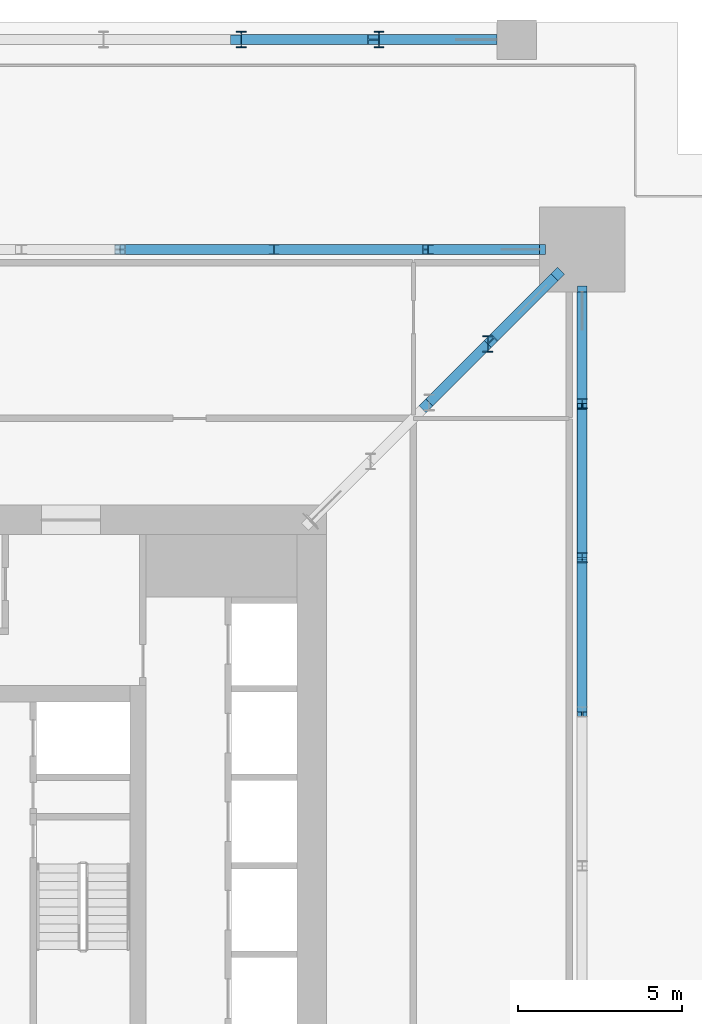
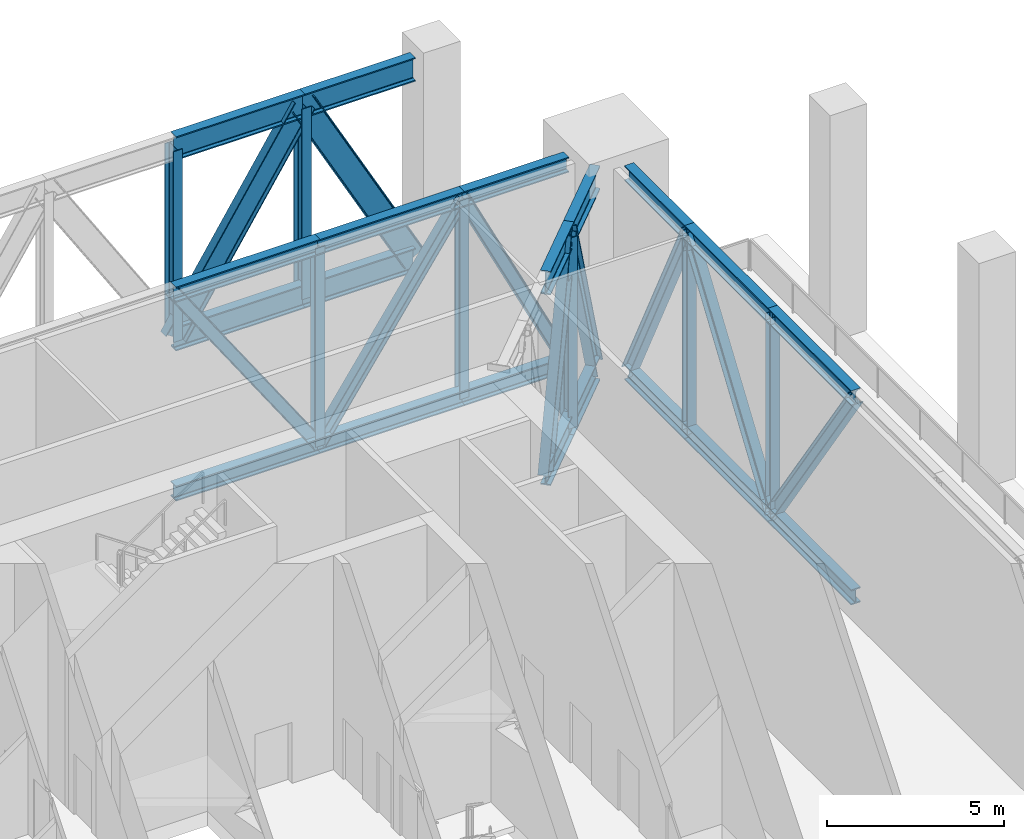
# One storey, part 5 of 17: 37 members.
"""IFC4 building model written with IfcOpenShell, lengths in metres."""

from ifc_helpers import new_model, si_unit, direction, frame, origin, origin_2d, place, context, subcontext, project, spatial, i_section, extrude, material, material_profile, profile_set, type_object, element, save


model = new_model("IFC4")

# Units and contexts
model_context = context("Model", 3, precision=1e-05, world=origin(), true_north=direction((0.0, 1.0)))
body_context = subcontext(model_context, "Body", "Model", "MODEL_VIEW")
ifc_project = project(units=[si_unit("LENGTHUNIT", "METRE"), si_unit("AREAUNIT", "SQUARE_METRE"), si_unit("VOLUMEUNIT", "CUBIC_METRE"), si_unit("PLANEANGLEUNIT", "RADIAN"), si_unit("MASSUNIT", "GRAM", prefix="KILO")], contexts=[model_context])

# Site, building, storey
site_placement = place(None, origin())
site = spatial("IfcSite", under=ifc_project, at=site_placement, CompositionType="ELEMENT")
building_placement = place(site_placement, origin())
building = spatial("IfcBuilding", under=site, at=building_placement, Name="Khepri Terraces", CompositionType="ELEMENT")
storey_placement = place(building_placement, frame((0.0, 0.0, 180.60009765625)))
storey = spatial("IfcBuildingStorey", under=building, at=storey_placement, Name="L43", CompositionType="ELEMENT", Elevation=180.60009765625)

# Members
ifc_material = material(Name="Steel S355", Category="steel")
ifc_material_profile_1 = material_profile(ifc_material, i_section(OverallWidth=0.305908203125, OverallDepth=0.52392578125, WebThickness=0.02099609375, FlangeThickness=0.0400390625, FilletRadius=0.027099609375, at=origin_2d()), Name="Steel S355", Category="steel")
ifc_profile_set_1 = profile_set([ifc_material_profile_1], Name="Steel S355")
member_type_1 = type_object("IfcMemberType", Name="Belt truss chord HEM 500", PredefinedType="CHORD", material=ifc_profile_set_1)
for number, where, z_axis, x_axis, name in (
    (1, (18.800048828125, 4.699951171875, 0.261962890625), (0.0, 1.0, 0.0), (-1.0, 0.0, 0.0), "Belt truss chord BT-43-E bottom 6"),
    (2, (18.800048828125, 4.699951171875, 7.117919921875), (0.0, 1.0, 0.0), (-1.0, 0.0, 0.0), "Belt truss chord BT-43-E top 6"),
):
    element("IfcMember", number, at=place(storey_placement, frame(where, z_axis=z_axis, x_axis=x_axis)), inside=storey, type_object=member_type_1, Name=name, PredefinedType="CHORD", context=body_context, shape_type="SweptSolid", body=[
        extrude(i_section(OverallWidth=0.305908203125, OverallDepth=0.52392578125, WebThickness=0.02099609375, FlangeThickness=0.0400390625, FilletRadius=0.027099609375, at=origin_2d()), origin(), (0.0, 0.0, 1.0), 4.699951171875),
    ])
for number, where, z_axis, x_axis, name in (
    (3, (18.800048828125, 9.39990234375, 0.261962890625), (0.0, 1.0, 0.0), (-1.0, 0.0, 0.0), "Belt truss chord BT-43-E bottom 7"),
    (4, (18.800048828125, 9.39990234375, 7.117919921875), (0.0, 1.0, 0.0), (-1.0, 0.0, 0.0), "Belt truss chord BT-43-E top 7"),
):
    element("IfcMember", number, at=place(storey_placement, frame(where, z_axis=z_axis, x_axis=x_axis)), inside=storey, type_object=member_type_1, Name=name, PredefinedType="CHORD", context=body_context, shape_type="SweptSolid", body=[
        extrude(i_section(OverallWidth=0.305908203125, OverallDepth=0.52392578125, WebThickness=0.02099609375, FlangeThickness=0.0400390625, FilletRadius=0.027099609375, at=origin_2d()), origin(), (0.0, 0.0, 1.0), 4.7001953125),
    ])
for number, where, z_axis, x_axis, name in (
    (5, (18.800048828125, 14.10009765625, 0.261962890625), (0.0, 1.0, 0.0), (-1.0, 0.0, 0.0), "Belt truss chord BT-43-E bottom 8"),
    (6, (18.800048828125, 14.10009765625, 7.117919921875), (0.0, 1.0, 0.0), (-1.0, 0.0, 0.0), "Belt truss chord BT-43-E top 8"),
    (7, (17.5, 18.800048828125, 0.261962890625), (-1.0, 0.0, 0.0), (0.0, -1.0, 0.0), "Belt truss chord BT-43-N bottom 1"),
    (8, (17.5, 18.800048828125, 7.117919921875), (-1.0, 0.0, 0.0), (0.0, -1.0, 0.0), "Belt truss chord BT-43-N top 1"),
):
    element("IfcMember", number, at=place(storey_placement, frame(where, z_axis=z_axis, x_axis=x_axis)), inside=storey, type_object=member_type_1, Name=name, PredefinedType="CHORD", context=body_context, shape_type="SweptSolid", body=[
        extrude(i_section(OverallWidth=0.305908203125, OverallDepth=0.52392578125, WebThickness=0.02099609375, FlangeThickness=0.0400390625, FilletRadius=0.027099609375, at=origin_2d()), origin(), (0.0, 0.0, 1.0), 3.39990234375),
    ])
for number, where, z_axis, x_axis, name in (
    (9, (14.10009765625, 18.800048828125, 0.261962890625), (-1.0, 0.0, 0.0), (0.0, -1.0, 0.0), "Belt truss chord BT-43-N bottom 2"),
    (10, (14.10009765625, 18.800048828125, 7.117919921875), (-1.0, 0.0, 0.0), (0.0, -1.0, 0.0), "Belt truss chord BT-43-N top 2"),
):
    element("IfcMember", number, at=place(storey_placement, frame(where, z_axis=z_axis, x_axis=x_axis)), inside=storey, type_object=member_type_1, Name=name, PredefinedType="CHORD", context=body_context, shape_type="SweptSolid", body=[
        extrude(i_section(OverallWidth=0.305908203125, OverallDepth=0.52392578125, WebThickness=0.02099609375, FlangeThickness=0.0400390625, FilletRadius=0.027099609375, at=origin_2d()), origin(), (0.0, 0.0, 1.0), 4.7001953125),
    ])
for number, where, z_axis, x_axis, name in (
    (11, (9.39990234375, 18.800048828125, 0.261962890625), (-1.0, 0.0, 0.0), (0.0, -1.0, 0.0), "Belt truss chord BT-43-N bottom 3"),
    (12, (9.39990234375, 18.800048828125, 7.117919921875), (-1.0, 0.0, 0.0), (0.0, -1.0, 0.0), "Belt truss chord BT-43-N top 3"),
):
    element("IfcMember", number, at=place(storey_placement, frame(where, z_axis=z_axis, x_axis=x_axis)), inside=storey, type_object=member_type_1, Name=name, PredefinedType="CHORD", context=body_context, shape_type="SweptSolid", body=[
        extrude(i_section(OverallWidth=0.305908203125, OverallDepth=0.52392578125, WebThickness=0.02099609375, FlangeThickness=0.0400390625, FilletRadius=0.027099609375, at=origin_2d()), origin(), (0.0, 0.0, 1.0), 4.699951171875),
    ])
ifc_material_profile_2 = material_profile(ifc_material, i_section(OverallWidth=0.300048828125, OverallDepth=0.39990234375, WebThickness=0.013427734375, FlangeThickness=0.02392578125, FilletRadius=0.027099609375, at=origin_2d()), Name="Steel S355", Category="steel")
ifc_profile_set_2 = profile_set([ifc_material_profile_2], Name="Steel S355")
member_type_2 = type_object("IfcMemberType", Name="Belt truss diagonal HEB 400", PredefinedType="BRACE", material=ifc_profile_set_2)
member_1_placement = place(storey_placement, frame((18.800048828125, 4.699951171875, 7.117919921875), z_axis=(0.0, 0.565423896724, -0.824800471031), x_axis=(-1.0, 0.0, 0.0)))
element("IfcMember", 13, at=member_1_placement, inside=storey, type_object=member_type_2, Name="Belt truss diagonal BT-43-E 6", PredefinedType="BRACE", context=body_context, shape_type="SweptSolid", body=[
    extrude(i_section(OverallWidth=0.300048828125, OverallDepth=0.39990234375, WebThickness=0.013427734375, FlangeThickness=0.02392578125, FilletRadius=0.027099609375, at=origin_2d()), origin(), (0.0, 0.0, 1.0), 8.312255859375),
])
member_2_placement = place(storey_placement, frame((18.800048828125, 9.39990234375, 0.261962890625), z_axis=(0.0, 0.565443877293, 0.824786773434), x_axis=(-1.0, 0.0, 0.0)))
element("IfcMember", 14, at=member_2_placement, inside=storey, type_object=member_type_2, Name="Belt truss diagonal BT-43-E 7", PredefinedType="BRACE", context=body_context, shape_type="SweptSolid", body=[
    extrude(i_section(OverallWidth=0.300048828125, OverallDepth=0.39990234375, WebThickness=0.013427734375, FlangeThickness=0.02392578125, FilletRadius=0.027099609375, at=origin_2d()), origin(), (0.0, 0.0, 1.0), 8.3125),
])
for number, where, z_axis, x_axis, name in (
    (15, (18.800048828125, 14.10009765625, 7.117919921875), (0.0, 0.444276144924, -0.895889896723), (-1.0, 0.0, 0.0), "Belt truss diagonal BT-43-E 8"),
    (16, (17.5, 18.800048828125, 0.261962890625), (-0.444276144924, 0.0, 0.895889896723), (0.0, -1.0, 0.0), "Belt truss diagonal BT-43-N 1"),
):
    element("IfcMember", number, at=place(storey_placement, frame(where, z_axis=z_axis, x_axis=x_axis)), inside=storey, type_object=member_type_2, Name=name, PredefinedType="BRACE", context=body_context, shape_type="SweptSolid", body=[
        extrude(i_section(OverallWidth=0.300048828125, OverallDepth=0.39990234375, WebThickness=0.013427734375, FlangeThickness=0.02392578125, FilletRadius=0.027099609375, at=origin_2d()), origin(), (0.0, 0.0, 1.0), 7.652587890625),
    ])
member_3_placement = place(storey_placement, frame((14.10009765625, 18.800048828125, 7.117919921875), z_axis=(-0.565443877293, 0.0, -0.824786773434), x_axis=(0.0, -1.0, 0.0)))
element("IfcMember", 17, at=member_3_placement, inside=storey, type_object=member_type_2, Name="Belt truss diagonal BT-43-N 2", PredefinedType="BRACE", context=body_context, shape_type="SweptSolid", body=[
    extrude(i_section(OverallWidth=0.300048828125, OverallDepth=0.39990234375, WebThickness=0.013427734375, FlangeThickness=0.02392578125, FilletRadius=0.027099609375, at=origin_2d()), origin(), (0.0, 0.0, 1.0), 8.3125),
])
member_4_placement = place(storey_placement, frame((9.39990234375, 18.800048828125, 0.261962890625), z_axis=(-0.565423896724, 0.0, 0.824800471031), x_axis=(0.0, -1.0, 0.0)))
element("IfcMember", 18, at=member_4_placement, inside=storey, type_object=member_type_2, Name="Belt truss diagonal BT-43-N 3", PredefinedType="BRACE", context=body_context, shape_type="SweptSolid", body=[
    extrude(i_section(OverallWidth=0.300048828125, OverallDepth=0.39990234375, WebThickness=0.013427734375, FlangeThickness=0.02392578125, FilletRadius=0.027099609375, at=origin_2d()), origin(), (0.0, 0.0, 1.0), 8.312255859375),
])
ifc_material_profile_3 = material_profile(ifc_material, i_section(OverallWidth=0.300048828125, OverallDepth=0.300048828125, WebThickness=0.010986328125, FlangeThickness=0.01904296875, FilletRadius=0.027099609375, at=origin_2d()), Name="Steel S355", Category="steel")
ifc_profile_set_3 = profile_set([ifc_material_profile_3], Name="Steel S355")
member_type_3 = type_object("IfcMemberType", Name="Belt truss post HEB 300", PredefinedType="POST", material=ifc_profile_set_3)
for number, where, z_axis, x_axis, name in (
    (19, (18.800048828125, 9.39990234375, 0.261962890625), (0.0, 0.0, 1.0), (1.0, 0.0, 0.0), "Belt truss post BT-43-E 6"),
    (20, (18.800048828125, 14.10009765625, 0.261962890625), (0.0, 0.0, 1.0), (1.0, 0.0, 0.0), "Belt truss post BT-43-E 7"),
    (21, (14.10009765625, 18.800048828125, 0.261962890625), (0.0, 0.0, 1.0), (1.0, 0.0, 0.0), "Belt truss post BT-43-N 1"),
    (22, (9.39990234375, 18.800048828125, 0.261962890625), (0.0, 0.0, 1.0), (1.0, 0.0, 0.0), "Belt truss post BT-43-N 2"),
):
    element("IfcMember", number, at=place(storey_placement, frame(where, z_axis=z_axis, x_axis=x_axis)), inside=storey, type_object=member_type_3, Name=name, PredefinedType="POST", context=body_context, shape_type="SweptSolid", body=[
        extrude(i_section(OverallWidth=0.300048828125, OverallDepth=0.300048828125, WebThickness=0.010986328125, FlangeThickness=0.01904296875, FilletRadius=0.027099609375, at=origin_2d()), origin(), (0.0, 0.0, 1.0), 6.85595703125),
    ])
ifc_material_profile_4 = material_profile(ifc_material, i_section(OverallWidth=0.302978515625, OverallDepth=0.81396484375, WebThickness=0.02099609375, FlangeThickness=0.0400390625, FilletRadius=0.030029296875, at=origin_2d()), Name="Steel S355", Category="steel")
ifc_profile_set_4 = profile_set([ifc_material_profile_4], Name="Steel S355")
member_type_4 = type_object("IfcMemberType", Name="Outrigger chord HEM 800", PredefinedType="CHORD", material=ifc_profile_set_4)
for number, where, z_axis, x_axis, name in (
    (23, (14.131103515625, 14.131103515625, 0.406982421875), (0.707106781187, 0.707106781187, 0.0), (-0.707106781187, 0.707106781187, 0.0), "Outrigger chord OT-43-EN bottom 3"),
    (24, (14.131103515625, 14.131103515625, 6.972900390625), (0.707106781187, 0.707106781187, 0.0), (-0.707106781187, 0.707106781187, 0.0), "Outrigger chord OT-43-EN top 3"),
):
    element("IfcMember", number, at=place(storey_placement, frame(where, z_axis=z_axis, x_axis=x_axis)), inside=storey, type_object=member_type_4, Name=name, PredefinedType="CHORD", context=body_context, shape_type="SweptSolid", body=[
        extrude(i_section(OverallWidth=0.302978515625, OverallDepth=0.81396484375, WebThickness=0.02099609375, FlangeThickness=0.0400390625, FilletRadius=0.030029296875, at=origin_2d()), origin(), (0.0, 0.0, 1.0), 2.5322265625),
    ])
for number, where, z_axis, x_axis, name in (
    (25, (15.921630859375, 15.921630859375, 0.406982421875), (0.707106781187, 0.707106781187, 0.0), (-0.707106781187, 0.707106781187, 0.0), "Outrigger chord OT-43-EN bottom 4"),
    (26, (15.921630859375, 15.921630859375, 6.972900390625), (0.707106781187, 0.707106781187, 0.0), (-0.707106781187, 0.707106781187, 0.0), "Outrigger chord OT-43-EN top 4"),
):
    element("IfcMember", number, at=place(storey_placement, frame(where, z_axis=z_axis, x_axis=x_axis)), inside=storey, type_object=member_type_4, Name=name, PredefinedType="CHORD", context=body_context, shape_type="SweptSolid", body=[
        extrude(i_section(OverallWidth=0.302978515625, OverallDepth=0.81396484375, WebThickness=0.02099609375, FlangeThickness=0.0400390625, FilletRadius=0.030029296875, at=origin_2d()), origin(), (0.0, 0.0, 1.0), 2.87060546875),
    ])
ifc_material_profile_5 = material_profile(ifc_material, i_section(OverallWidth=0.304931640625, OverallDepth=0.6201171875, WebThickness=0.02099609375, FlangeThickness=0.0400390625, FilletRadius=0.027099609375, at=origin_2d()), Name="Steel S355", Category="steel")
ifc_profile_set_5 = profile_set([ifc_material_profile_5], Name="Steel S355")
member_type_5 = type_object("IfcMemberType", Name="Outrigger diagonal HEM 600", PredefinedType="BRACE", material=ifc_profile_set_5)
member_5_placement = place(storey_placement, frame((14.131103515625, 14.131103515625, 0.406982421875), z_axis=(0.254434715173, 0.254434715173, 0.933019802271), x_axis=(-0.707106781187, 0.707106781187, 0.0)))
element("IfcMember", 27, at=member_5_placement, inside=storey, type_object=member_type_5, Name="Outrigger diagonal OT-43-EN 3", PredefinedType="BRACE", context=body_context, shape_type="SweptSolid", body=[
    extrude(i_section(OverallWidth=0.304931640625, OverallDepth=0.6201171875, WebThickness=0.02099609375, FlangeThickness=0.0400390625, FilletRadius=0.027099609375, at=origin_2d()), origin(), (0.0, 0.0, 1.0), 7.037353515625),
])
member_6_placement = place(storey_placement, frame((15.921630859375, 15.921630859375, 6.972900390625), z_axis=(0.283252796148, 0.283252796148, -0.916261811355), x_axis=(-0.707106781187, 0.707106781187, 0.0)))
element("IfcMember", 28, at=member_6_placement, inside=storey, type_object=member_type_5, Name="Outrigger diagonal OT-43-EN 4", PredefinedType="BRACE", context=body_context, shape_type="SweptSolid", body=[
    extrude(i_section(OverallWidth=0.304931640625, OverallDepth=0.6201171875, WebThickness=0.02099609375, FlangeThickness=0.0400390625, FilletRadius=0.027099609375, at=origin_2d()), origin(), (0.0, 0.0, 1.0), 7.166015625),
])
ifc_material_profile_6 = material_profile(ifc_material, i_section(OverallWidth=0.300048828125, OverallDepth=0.5, WebThickness=0.014404296875, FlangeThickness=0.028076171875, FilletRadius=0.027099609375, at=origin_2d()), Name="Steel S355", Category="steel")
ifc_profile_set_6 = profile_set([ifc_material_profile_6], Name="Steel S355")
member_type_6 = type_object("IfcMemberType", Name="Outrigger post HEB 500", PredefinedType="POST", material=ifc_profile_set_6)
member_7_placement = place(storey_placement, frame((15.921630859375, 15.921630859375, 0.406982421875), z_axis=(0.0, 0.0, 1.0), x_axis=(1.0, 0.0, 0.0)))
element("IfcMember", 29, at=member_7_placement, inside=storey, type_object=member_type_6, Name="Outrigger post OT-43-EN 3", PredefinedType="POST", context=body_context, shape_type="SweptSolid", body=[
    extrude(i_section(OverallWidth=0.300048828125, OverallDepth=0.5, WebThickness=0.014404296875, FlangeThickness=0.028076171875, FilletRadius=0.027099609375, at=origin_2d()), origin(), (0.0, 0.0, 1.0), 6.56591796875),
])
ifc_material_profile_7 = material_profile(ifc_material, i_section(OverallWidth=0.302978515625, OverallDepth=0.81396484375, WebThickness=0.02099609375, FlangeThickness=0.0400390625, FilletRadius=0.030029296875, at=origin_2d()), Name="Steel S355", Category="steel")
ifc_profile_set_7 = profile_set([ifc_material_profile_7], Name="Steel S355")
member_type_7 = type_object("IfcMemberType", Name="Transfer truss chord HEM 800", PredefinedType="CHORD", material=ifc_profile_set_7)
for number, where, z_axis, x_axis, name in (
    (30, (16.199951171875, 25.199951171875, 0.406982421875), (-1.0, 0.0, 0.0), (0.0, -1.0, 0.0), "Transfer truss chord TT-43-N bottom 1"),
    (31, (16.199951171875, 25.199951171875, 6.972900390625), (-1.0, 0.0, 0.0), (0.0, -1.0, 0.0), "Transfer truss chord TT-43-N top 1"),
):
    element("IfcMember", number, at=place(storey_placement, frame(where, z_axis=z_axis, x_axis=x_axis)), inside=storey, type_object=member_type_7, Name=name, PredefinedType="CHORD", context=body_context, shape_type="SweptSolid", body=[
        extrude(i_section(OverallWidth=0.302978515625, OverallDepth=0.81396484375, WebThickness=0.02099609375, FlangeThickness=0.0400390625, FilletRadius=0.030029296875, at=origin_2d()), origin(), (0.0, 0.0, 1.0), 3.599853515625),
    ])
for number, where, z_axis, x_axis, name in (
    (32, (12.60009765625, 25.199951171875, 0.406982421875), (-1.0, 0.0, 0.0), (0.0, -1.0, 0.0), "Transfer truss chord TT-43-N bottom 2"),
    (33, (12.60009765625, 25.199951171875, 6.972900390625), (-1.0, 0.0, 0.0), (0.0, -1.0, 0.0), "Transfer truss chord TT-43-N top 2"),
):
    element("IfcMember", number, at=place(storey_placement, frame(where, z_axis=z_axis, x_axis=x_axis)), inside=storey, type_object=member_type_7, Name=name, PredefinedType="CHORD", context=body_context, shape_type="SweptSolid", body=[
        extrude(i_section(OverallWidth=0.302978515625, OverallDepth=0.81396484375, WebThickness=0.02099609375, FlangeThickness=0.0400390625, FilletRadius=0.030029296875, at=origin_2d()), origin(), (0.0, 0.0, 1.0), 4.2001953125),
    ])
ifc_material_profile_8 = material_profile(ifc_material, i_section(OverallWidth=0.300048828125, OverallDepth=0.7900390625, WebThickness=0.014892578125, FlangeThickness=0.028076171875, FilletRadius=0.030029296875, at=origin_2d()), Name="Steel S355", Category="steel")
ifc_profile_set_8 = profile_set([ifc_material_profile_8], Name="Steel S355")
member_type_8 = type_object("IfcMemberType", Name="Transfer truss diagonal HEA 800", PredefinedType="BRACE", material=ifc_profile_set_8)
member_8_placement = place(storey_placement, frame((16.199951171875, 25.199951171875, 0.406982421875), z_axis=(-0.480749324801, 0.0, 0.876858076717), x_axis=(0.0, -1.0, 0.0)))
element("IfcMember", 34, at=member_8_placement, inside=storey, type_object=member_type_8, Name="Transfer truss diagonal TT-43-N 1", PredefinedType="BRACE", context=body_context, shape_type="SweptSolid", body=[
    extrude(i_section(OverallWidth=0.300048828125, OverallDepth=0.7900390625, WebThickness=0.014892578125, FlangeThickness=0.028076171875, FilletRadius=0.030029296875, at=origin_2d()), origin(), (0.0, 0.0, 1.0), 7.488037109375),
])
member_9_placement = place(storey_placement, frame((12.60009765625, 25.199951171875, 6.972900390625), z_axis=(-0.538872361831, 0.0, -0.842387427289), x_axis=(0.0, -1.0, 0.0)))
element("IfcMember", 35, at=member_9_placement, inside=storey, type_object=member_type_8, Name="Transfer truss diagonal TT-43-N 2", PredefinedType="BRACE", context=body_context, shape_type="SweptSolid", body=[
    extrude(i_section(OverallWidth=0.300048828125, OverallDepth=0.7900390625, WebThickness=0.014892578125, FlangeThickness=0.028076171875, FilletRadius=0.030029296875, at=origin_2d()), origin(), (0.0, 0.0, 1.0), 7.79443359375),
])
ifc_material_profile_9 = material_profile(ifc_material, i_section(OverallWidth=0.300048828125, OverallDepth=0.5, WebThickness=0.014404296875, FlangeThickness=0.028076171875, FilletRadius=0.027099609375, at=origin_2d()), Name="Steel S355", Category="steel")
ifc_profile_set_9 = profile_set([ifc_material_profile_9], Name="Steel S355")
member_type_9 = type_object("IfcMemberType", Name="Transfer truss post HEB 500", PredefinedType="POST", material=ifc_profile_set_9)
for number, where, z_axis, x_axis, name in (
    (36, (12.60009765625, 25.199951171875, 0.406982421875), (0.0, 0.0, 1.0), (1.0, 0.0, 0.0), "Transfer truss post TT-43-N 1"),
    (37, (8.39990234375, 25.199951171875, 0.406982421875), (0.0, 0.0, 1.0), (1.0, 0.0, 0.0), "Transfer truss post TT-43-N 2"),
):
    element("IfcMember", number, at=place(storey_placement, frame(where, z_axis=z_axis, x_axis=x_axis)), inside=storey, type_object=member_type_9, Name=name, PredefinedType="POST", context=body_context, shape_type="SweptSolid", body=[
        extrude(i_section(OverallWidth=0.300048828125, OverallDepth=0.5, WebThickness=0.014404296875, FlangeThickness=0.028076171875, FilletRadius=0.027099609375, at=origin_2d()), origin(), (0.0, 0.0, 1.0), 6.56591796875),
    ])

save(model, "model.ifc")
